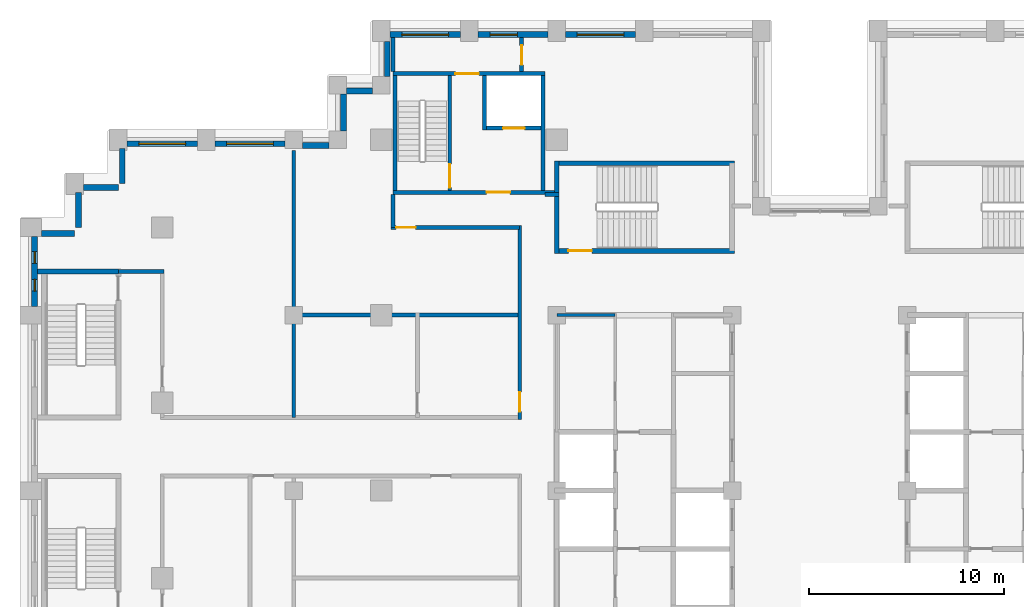
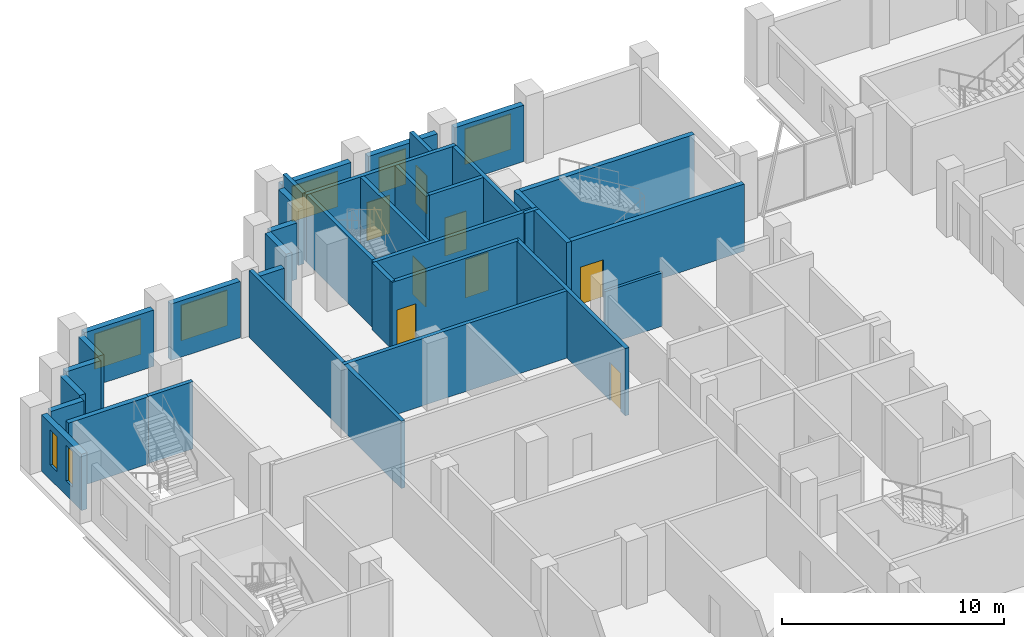
# One storey, part 10 of 16: 35 walls, 8 doors, 7 windows, 15 openings.
"""IFC4 building model written with IfcOpenShell, lengths in metres."""

from ifc_helpers import new_model, si_unit, direction, frame, frame_2d, origin, place, context, subcontext, project, spatial, rectangle, extrude, material, layer, layer_set, type_object, element, fill, save


model = new_model("IFC4")

# Units and contexts
model_context = context("Model", 3, precision=1e-05, world=origin(), true_north=direction((0.0, 1.0)))
body_context = subcontext(model_context, "Body", "Model", "MODEL_VIEW")
ifc_project = project(units=[si_unit("LENGTHUNIT", "METRE"), si_unit("AREAUNIT", "SQUARE_METRE"), si_unit("VOLUMEUNIT", "CUBIC_METRE"), si_unit("PLANEANGLEUNIT", "RADIAN"), si_unit("MASSUNIT", "GRAM", prefix="KILO")], contexts=[model_context])

# Site, building, storey
site_placement = place(None, origin())
site = spatial("IfcSite", under=ifc_project, at=site_placement, CompositionType="ELEMENT")
building_placement = place(site_placement, origin())
building = spatial("IfcBuilding", under=site, at=building_placement, Name="Corbelhall Arena Tower", CompositionType="ELEMENT")
storey_placement = place(building_placement, frame((0.0, 0.0, 170.0)))
storey = spatial("IfcBuildingStorey", under=building, at=storey_placement, Name="L34", CompositionType="ELEMENT", Elevation=170.0)

# Walls
ifc_material_1 = material(Name="Precast concrete C40/50 with granite facing", Category="masonry")
ifc_layer_1 = layer(ifc_material_1, 0.300048828125)
ifc_layer_set_1 = layer_set([ifc_layer_1], Name="EV-IW1 Infill panel 300")
wall_type_1 = type_object("IfcWallType", Name="EV-IW1 Infill panel 300", PredefinedType="SOLIDWALL", material=ifc_layer_set_1)
for number, where, z_axis, x_axis, name in (
    (1, (-35.800048828125, 17.550048828125, 0.0), (0.0, 0.0, 1.0), (0.0, -1.0, 0.0), "Infill panel IW1"),
    (2, (-37.800048828125, 15.550048828125, 0.0), (0.0, 0.0, 1.0), (1.0, 0.0, 0.0), "Infill panel IW1"),
    (3, (-38.050048828125, 15.300048828125, 0.0), (0.0, 0.0, 1.0), (0.0, -1.0, 0.0), "Infill panel IW1"),
):
    element("IfcWall", number, at=place(storey_placement, frame(where, z_axis=z_axis, x_axis=x_axis)), inside=storey, type_object=wall_type_1, Name=name, PredefinedType="SOLIDWALL", context=body_context, shape_type="SweptSolid", body=[
        extrude(rectangle(XDim=1.800048828125, YDim=0.300048828125, at=frame_2d((0.89990234375, 0.0))), origin(), (0.0, 0.0, 1.0), 3.10009765625),
    ])
wall_1_placement = place(storey_placement, frame((-39.949951171875, 13.199951171875, 0.0), z_axis=(0.0, 0.0, 1.0), x_axis=(1.0, 0.0, 0.0)))
element("IfcWall", 4, at=wall_1_placement, inside=storey, type_object=wall_type_1, Name="Infill panel IW1", PredefinedType="SOLIDWALL", context=body_context, shape_type="SweptSolid", body=[
    extrude(rectangle(XDim=1.699951171875, YDim=0.300048828125, at=frame_2d((0.85009765625, 0.0))), origin(), (0.0, 0.0, 1.0), 3.10009765625),
])
wall_2_placement = place(storey_placement, frame((-22.199951171875, 23.050048828125, 0.0), z_axis=(0.0, 0.0, 1.0), x_axis=(0.0, -1.0, 0.0)))
element("IfcWall", 5, at=wall_2_placement, inside=storey, type_object=wall_type_1, Name="Infill panel IW1", PredefinedType="SOLIDWALL", context=body_context, shape_type="SweptSolid", body=[
    extrude(rectangle(XDim=1.800048828125, YDim=0.300048828125, at=frame_2d((0.89990234375, 0.0))), origin(), (0.0, 0.0, 1.0), 3.10009765625),
])
wall_3_placement = place(storey_placement, frame((-22.949951171875, 20.5, 0.0), z_axis=(0.0, 0.0, 1.0), x_axis=(-1.0, 0.0, 0.0)))
element("IfcWall", 6, at=wall_3_placement, inside=storey, type_object=wall_type_1, Name="Infill panel IW1", PredefinedType="SOLIDWALL", context=body_context, shape_type="SweptSolid", body=[
    extrude(rectangle(XDim=1.35009765625, YDim=0.300048828125, at=frame_2d((0.675048828125, 0.0))), origin(), (0.0, 0.0, 1.0), 3.10009765625),
])
wall_4_placement = place(storey_placement, frame((-24.449951171875, 20.35009765625, 0.0), z_axis=(0.0, 0.0, 1.0), x_axis=(0.0, -1.0, 0.0)))
element("IfcWall", 7, at=wall_4_placement, inside=storey, type_object=wall_type_1, Name="Infill panel IW1", PredefinedType="SOLIDWALL", context=body_context, shape_type="SweptSolid", body=[
    extrude(rectangle(XDim=1.900146484375, YDim=0.300048828125, at=frame_2d((0.9501953125, 0.0))), origin(), (0.0, 0.0, 1.0), 3.10009765625),
])
wall_5_placement = place(storey_placement, frame((-25.199951171875, 17.699951171875, 0.0), z_axis=(0.0, 0.0, 1.0), x_axis=(-1.0, 0.0, 0.0)))
element("IfcWall", 8, at=wall_5_placement, inside=storey, type_object=wall_type_1, Name="Infill panel IW1", PredefinedType="SOLIDWALL", context=body_context, shape_type="SweptSolid", body=[
    extrude(rectangle(XDim=1.35009765625, YDim=0.300048828125, at=frame_2d((0.675048828125, 0.0))), origin(), (0.0, 0.0, 1.0), 3.10009765625),
])

# Wall, opening, window
wall_6_placement = place(storey_placement, frame((-27.449951171875, 17.800048828125, 0.0), z_axis=(0.0, 0.0, 1.0), x_axis=(-1.0, 0.0, 0.0)))
wall_6 = element("IfcWall", 9, at=wall_6_placement, inside=storey, type_object=wall_type_1, Name="Infill panel IW1", PredefinedType="SOLIDWALL", context=body_context, shape_type="SweptSolid", body=[
    extrude(rectangle(XDim=3.60009765625, YDim=0.300048828125, at=frame_2d((1.800048828125, 0.0))), origin(), (0.0, 0.0, 1.0), 3.10009765625),
])
opening_1_placement = place(wall_6_placement, frame((0.60009765625, 0.0, 0.800048828125)))
opening_1 = element("IfcOpeningElement", 10, at=opening_1_placement, cuts=wall_6, Name="Opening WN1", PredefinedType="OPENING", context=body_context, shape_type="SweptSolid", body=[
    extrude(rectangle(XDim=2.39990234375, YDim=1.949951171875, at=frame_2d((1.199951171875, 0.97509765625))), frame((0.0, 0.14990234375, 0.0), z_axis=(0.0, -1.0, 0.0), x_axis=(1.0, 0.0, 0.0)), (0.0, 0.0, 1.0), 0.300048828125),
])
ifc_material_2 = material(Name="Aluminium black anodised", Category="aluminium")
window_type_1 = type_object("IfcWindowType", Name="EV-WN1 Office window", PartitioningType="SINGLE_PANEL", PredefinedType="WINDOW", material=ifc_material_2)
window_1_placement = place(opening_1_placement, origin())
window_1 = element("IfcWindow", 11, at=window_1_placement, inside=storey, type_object=window_type_1, Name="Window WN1", OverallHeight=1.949951171875, OverallWidth=2.39990234375, PartitioningType="SINGLE_PANEL", PredefinedType="WINDOW", context=body_context, shape_type="SweptSolid", body=[
    extrude(rectangle(XDim=2.39990234375, YDim=1.949951171875, at=frame_2d((1.199951171875, 0.97509765625))), frame((0.0, 0.030029296875, 0.0), z_axis=(0.0, -1.0, 0.0), x_axis=(1.0, 0.0, 0.0)), (0.0, 0.0, 1.0), 0.06005859375),
])
fill(opening_1, window_1)

wall_7_placement = place(storey_placement, frame((-31.949951171875, 17.800048828125, 0.0), z_axis=(0.0, 0.0, 1.0), x_axis=(-1.0, 0.0, 0.0)))
wall_7 = element("IfcWall", 12, at=wall_7_placement, inside=storey, type_object=wall_type_1, Name="Infill panel IW1", PredefinedType="SOLIDWALL", context=body_context, shape_type="SweptSolid", body=[
    extrude(rectangle(XDim=3.60009765625, YDim=0.300048828125, at=frame_2d((1.800048828125, 0.0))), origin(), (0.0, 0.0, 1.0), 3.10009765625),
])
opening_2_placement = place(wall_7_placement, frame((0.60009765625, 0.0, 0.800048828125)))
opening_2 = element("IfcOpeningElement", 13, at=opening_2_placement, cuts=wall_7, Name="Opening WN1", PredefinedType="OPENING", context=body_context, shape_type="SweptSolid", body=[
    extrude(rectangle(XDim=2.39990234375, YDim=1.949951171875, at=frame_2d((1.199951171875, 0.97509765625))), frame((0.0, 0.14990234375, 0.0), z_axis=(0.0, -1.0, 0.0), x_axis=(1.0, 0.0, 0.0)), (0.0, 0.0, 1.0), 0.300048828125),
])
window_2_placement = place(opening_2_placement, origin())
window_2 = element("IfcWindow", 14, at=window_2_placement, inside=storey, type_object=window_type_1, Name="Window WN1", OverallHeight=1.949951171875, OverallWidth=2.39990234375, PartitioningType="SINGLE_PANEL", PredefinedType="WINDOW", context=body_context, shape_type="SweptSolid", body=[
    extrude(rectangle(XDim=2.39990234375, YDim=1.949951171875, at=frame_2d((1.199951171875, 0.97509765625))), frame((0.0, 0.030029296875, 0.0), z_axis=(0.0, -1.0, 0.0), x_axis=(1.0, 0.0, 0.0)), (0.0, 0.0, 1.0), 0.06005859375),
])
fill(opening_2, window_2)

# Wall, openings, windows
wall_8_placement = place(storey_placement, frame((-40.300048828125, 13.050048828125, 0.0), z_axis=(0.0, 0.0, 1.0), x_axis=(0.0, -1.0, 0.0)))
wall_8 = element("IfcWall", 15, at=wall_8_placement, inside=storey, type_object=wall_type_1, Name="Infill panel IW1", PredefinedType="SOLIDWALL", context=body_context, shape_type="SweptSolid", body=[
    extrude(rectangle(XDim=3.60009765625, YDim=0.300048828125, at=frame_2d((1.800048828125, 0.0))), origin(), (0.0, 0.0, 1.0), 3.10009765625),
])
opening_3_placement = place(wall_8_placement, frame((0.78759765625, 0.0, 0.800048828125)))
opening_3 = element("IfcOpeningElement", 16, at=opening_3_placement, cuts=wall_8, Name="Opening WN5", PredefinedType="OPENING", context=body_context, shape_type="SweptSolid", body=[
    extrude(rectangle(XDim=0.60009765625, YDim=1.949951171875, at=frame_2d((0.300048828125, 0.97509765625))), frame((0.0, 0.14990234375, 0.0), z_axis=(0.0, -1.0, 0.0), x_axis=(1.0, 0.0, 0.0)), (0.0, 0.0, 1.0), 0.300048828125),
])
opening_4_placement = place(wall_8_placement, frame((2.21240234375, 0.0, 0.800048828125)))
opening_4 = element("IfcOpeningElement", 17, at=opening_4_placement, cuts=wall_8, Name="Opening WN5", PredefinedType="OPENING", context=body_context, shape_type="SweptSolid", body=[
    extrude(rectangle(XDim=0.60009765625, YDim=1.949951171875, at=frame_2d((0.300048828125, 0.97509765625))), frame((0.0, 0.14990234375, 0.0), z_axis=(0.0, -1.0, 0.0), x_axis=(1.0, 0.0, 0.0)), (0.0, 0.0, 1.0), 0.300048828125),
])
window_type_2 = type_object("IfcWindowType", Name="EV-WN5 Office window 600", PartitioningType="SINGLE_PANEL", PredefinedType="WINDOW", material=ifc_material_2)
window_3_placement = place(opening_3_placement, origin())
window_3 = element("IfcWindow", 18, at=window_3_placement, inside=storey, type_object=window_type_2, Name="Window WN5", OverallHeight=1.949951171875, OverallWidth=0.60009765625, PartitioningType="SINGLE_PANEL", PredefinedType="WINDOW", context=body_context, shape_type="SweptSolid", body=[
    extrude(rectangle(XDim=0.60009765625, YDim=1.949951171875, at=frame_2d((0.300048828125, 0.97509765625))), frame((0.0, 0.030029296875, 0.0), z_axis=(0.0, -1.0, 0.0), x_axis=(1.0, 0.0, 0.0)), (0.0, 0.0, 1.0), 0.06005859375),
])
fill(opening_3, window_3)
window_4_placement = place(opening_4_placement, origin())
window_4 = element("IfcWindow", 19, at=window_4_placement, inside=storey, type_object=window_type_2, Name="Window WN5", OverallHeight=1.949951171875, OverallWidth=0.60009765625, PartitioningType="SINGLE_PANEL", PredefinedType="WINDOW", context=body_context, shape_type="SweptSolid", body=[
    extrude(rectangle(XDim=0.60009765625, YDim=1.949951171875, at=frame_2d((0.300048828125, 0.97509765625))), frame((0.0, 0.030029296875, 0.0), z_axis=(0.0, -1.0, 0.0), x_axis=(1.0, 0.0, 0.0)), (0.0, 0.0, 1.0), 0.06005859375),
])
fill(opening_4, window_4)

# Wall, opening, window
wall_9_placement = place(storey_placement, frame((-9.449951171875, 23.39990234375, 0.0), z_axis=(0.0, 0.0, 1.0), x_axis=(-1.0, 0.0, 0.0)))
wall_9 = element("IfcWall", 20, at=wall_9_placement, inside=storey, type_object=wall_type_1, Name="Infill panel IW1", PredefinedType="SOLIDWALL", context=body_context, shape_type="SweptSolid", body=[
    extrude(rectangle(XDim=3.60009765625, YDim=0.300048828125, at=frame_2d((1.800048828125, 0.0))), origin(), (0.0, 0.0, 1.0), 3.10009765625),
])
opening_5_placement = place(wall_9_placement, frame((0.60009765625, 0.0, 0.800048828125)))
opening_5 = element("IfcOpeningElement", 21, at=opening_5_placement, cuts=wall_9, Name="Opening WN1", PredefinedType="OPENING", context=body_context, shape_type="SweptSolid", body=[
    extrude(rectangle(XDim=2.39990234375, YDim=1.949951171875, at=frame_2d((1.199951171875, 0.97509765625))), frame((0.0, 0.14990234375, 0.0), z_axis=(0.0, -1.0, 0.0), x_axis=(1.0, 0.0, 0.0)), (0.0, 0.0, 1.0), 0.300048828125),
])
window_5_placement = place(opening_5_placement, origin())
window_5 = element("IfcWindow", 22, at=window_5_placement, inside=storey, type_object=window_type_1, Name="Window WN1", OverallHeight=1.949951171875, OverallWidth=2.39990234375, PartitioningType="SINGLE_PANEL", PredefinedType="WINDOW", context=body_context, shape_type="SweptSolid", body=[
    extrude(rectangle(XDim=2.39990234375, YDim=1.949951171875, at=frame_2d((1.199951171875, 0.97509765625))), frame((0.0, 0.030029296875, 0.0), z_axis=(0.0, -1.0, 0.0), x_axis=(1.0, 0.0, 0.0)), (0.0, 0.0, 1.0), 0.06005859375),
])
fill(opening_5, window_5)

wall_10_placement = place(storey_placement, frame((-13.949951171875, 23.39990234375, 0.0), z_axis=(0.0, 0.0, 1.0), x_axis=(-1.0, 0.0, 0.0)))
wall_10 = element("IfcWall", 23, at=wall_10_placement, inside=storey, type_object=wall_type_1, Name="Infill panel IW1", PredefinedType="SOLIDWALL", context=body_context, shape_type="SweptSolid", body=[
    extrude(rectangle(XDim=3.60009765625, YDim=0.300048828125, at=frame_2d((1.800048828125, 0.0))), origin(), (0.0, 0.0, 1.0), 3.10009765625),
])
opening_6_placement = place(wall_10_placement, frame((1.574951171875, 0.0, 0.800048828125)))
opening_6 = element("IfcOpeningElement", 24, at=opening_6_placement, cuts=wall_10, Name="Opening WN7", PredefinedType="OPENING", context=body_context, shape_type="SweptSolid", body=[
    extrude(rectangle(XDim=1.39990234375, YDim=1.949951171875, at=frame_2d((0.699951171875, 0.97509765625))), frame((0.0, 0.14990234375, 0.0), z_axis=(0.0, -1.0, 0.0), x_axis=(1.0, 0.0, 0.0)), (0.0, 0.0, 1.0), 0.300048828125),
])
window_type_3 = type_object("IfcWindowType", Name="EV-WN7 Office window 1400", PartitioningType="SINGLE_PANEL", PredefinedType="WINDOW", material=ifc_material_2)
window_6_placement = place(opening_6_placement, origin())
window_6 = element("IfcWindow", 25, at=window_6_placement, inside=storey, type_object=window_type_3, Name="Window WN7", OverallHeight=1.949951171875, OverallWidth=1.39990234375, PartitioningType="SINGLE_PANEL", PredefinedType="WINDOW", context=body_context, shape_type="SweptSolid", body=[
    extrude(rectangle(XDim=1.39990234375, YDim=1.949951171875, at=frame_2d((0.699951171875, 0.97509765625))), frame((0.0, 0.030029296875, 0.0), z_axis=(0.0, -1.0, 0.0), x_axis=(1.0, 0.0, 0.0)), (0.0, 0.0, 1.0), 0.06005859375),
])
fill(opening_6, window_6)

wall_11_placement = place(storey_placement, frame((-18.449951171875, 23.39990234375, 0.0), z_axis=(0.0, 0.0, 1.0), x_axis=(-1.0, 0.0, 0.0)))
wall_11 = element("IfcWall", 26, at=wall_11_placement, inside=storey, type_object=wall_type_1, Name="Infill panel IW1", PredefinedType="SOLIDWALL", context=body_context, shape_type="SweptSolid", body=[
    extrude(rectangle(XDim=3.60009765625, YDim=0.300048828125, at=frame_2d((1.800048828125, 0.0))), origin(), (0.0, 0.0, 1.0), 3.10009765625),
])
opening_7_placement = place(wall_11_placement, frame((0.60009765625, 0.0, 0.800048828125)))
opening_7 = element("IfcOpeningElement", 27, at=opening_7_placement, cuts=wall_11, Name="Opening WN1", PredefinedType="OPENING", context=body_context, shape_type="SweptSolid", body=[
    extrude(rectangle(XDim=2.39990234375, YDim=1.949951171875, at=frame_2d((1.199951171875, 0.97509765625))), frame((0.0, 0.14990234375, 0.0), z_axis=(0.0, -1.0, 0.0), x_axis=(1.0, 0.0, 0.0)), (0.0, 0.0, 1.0), 0.300048828125),
])
window_7_placement = place(opening_7_placement, origin())
window_7 = element("IfcWindow", 28, at=window_7_placement, inside=storey, type_object=window_type_1, Name="Window WN1", OverallHeight=1.949951171875, OverallWidth=2.39990234375, PartitioningType="SINGLE_PANEL", PredefinedType="WINDOW", context=body_context, shape_type="SweptSolid", body=[
    extrude(rectangle(XDim=2.39990234375, YDim=1.949951171875, at=frame_2d((1.199951171875, 0.97509765625))), frame((0.0, 0.030029296875, 0.0), z_axis=(0.0, -1.0, 0.0), x_axis=(1.0, 0.0, 0.0)), (0.0, 0.0, 1.0), 0.06005859375),
])
fill(opening_7, window_7)

# Walls
ifc_material_3 = material(Name="Gypsum board on steel stud, acoustic", Category="steel")
ifc_layer_2 = layer(ifc_material_3, 0.199951171875)
ifc_layer_set_2 = layer_set([ifc_layer_2], Name="IN-W-DM200")
wall_type_2 = type_object("IfcWallType", Name="IN-W-DM200", PredefinedType="PARTITIONING", material=ifc_layer_set_2)
wall_12_placement = place(storey_placement, frame((-36.0, 11.25, 0.0), z_axis=(0.0, 0.0, 1.0), x_axis=(1.0, 0.0, 0.0)))
element("IfcWall", 29, at=wall_12_placement, inside=storey, type_object=wall_type_2, Name="Partition 001", PredefinedType="PARTITIONING", context=body_context, shape_type="SweptSolid", body=[
    extrude(rectangle(XDim=2.35009765625, YDim=0.199951171875, at=frame_2d((1.175048828125, 0.0))), origin(), (0.0, 0.0, 1.0), 3.699951171875),
])
wall_13_placement = place(storey_placement, frame((-27.10009765625, 9.0, 0.0), z_axis=(0.0, 0.0, 1.0), x_axis=(1.0, 0.0, 0.0)))
element("IfcWall", 30, at=wall_13_placement, inside=storey, type_object=wall_type_2, Name="Partition 010", PredefinedType="PARTITIONING", context=body_context, shape_type="SweptSolid", body=[
    extrude(rectangle(XDim=11.7001953125, YDim=0.199951171875, at=frame_2d((5.85009765625, 0.0))), origin(), (0.0, 0.0, 1.0), 3.699951171875),
])
wall_14_placement = place(storey_placement, frame((-27.0, 3.75, 0.0), z_axis=(0.0, 0.0, 1.0), x_axis=(0.0, 1.0, 0.0)))
element("IfcWall", 31, at=wall_14_placement, inside=storey, type_object=wall_type_2, Name="Partition 012", PredefinedType="PARTITIONING", context=body_context, shape_type="SweptSolid", body=[
    extrude(rectangle(XDim=13.699951171875, YDim=0.199951171875, at=frame_2d((6.85009765625, 0.0))), origin(), (0.0, 0.0, 1.0), 3.699951171875),
])
wall_15_placement = place(storey_placement, frame((-21.89990234375, 13.5, 0.0), z_axis=(0.0, 0.0, 1.0), x_axis=(0.0, 1.0, 0.0)))
element("IfcWall", 32, at=wall_15_placement, inside=storey, type_object=wall_type_2, Name="Partition 014", PredefinedType="PARTITIONING", context=body_context, shape_type="SweptSolid", body=[
    extrude(rectangle(XDim=1.699951171875, YDim=0.199951171875, at=frame_2d((0.85009765625, 0.0))), origin(), (0.0, 0.0, 1.0), 3.699951171875),
])
wall_16_placement = place(storey_placement, frame((-21.89990234375, 21.5, 0.0), z_axis=(0.0, 0.0, 1.0), x_axis=(0.0, 1.0, 0.0)))
element("IfcWall", 33, at=wall_16_placement, inside=storey, type_object=wall_type_2, Name="Partition 015", PredefinedType="PARTITIONING", context=body_context, shape_type="SweptSolid", body=[
    extrude(rectangle(XDim=1.75, YDim=0.199951171875, at=frame_2d((0.875, 0.0))), origin(), (0.0, 0.0, 1.0), 3.699951171875),
])

# Wall, opening, door
wall_17_placement = place(storey_placement, frame((-15.39990234375, 3.64990234375, 0.0), z_axis=(0.0, 0.0, 1.0), x_axis=(0.0, 1.0, 0.0)))
wall_17 = element("IfcWall", 34, at=wall_17_placement, inside=storey, type_object=wall_type_2, Name="Partition 019", PredefinedType="PARTITIONING", context=body_context, shape_type="SweptSolid", body=[
    extrude(rectangle(XDim=9.9501953125, YDim=0.199951171875, at=frame_2d((4.97509765625, 0.0))), origin(), (0.0, 0.0, 1.0), 3.699951171875),
])
opening_8_placement = place(wall_17_placement, frame((0.39990234375, 0.0, 0.0)))
opening_8 = element("IfcOpeningElement", 35, at=opening_8_placement, cuts=wall_17, Name="Opening 10026", PredefinedType="OPENING", context=body_context, shape_type="SweptSolid", body=[
    extrude(rectangle(XDim=1.0, YDim=2.10009765625, at=frame_2d((0.5, 1.050048828125))), frame((0.0, 0.10009765625, 0.0), z_axis=(0.0, -1.0, 0.0), x_axis=(1.0, 0.0, 0.0)), (0.0, 0.0, 1.0), 0.199951171875),
])
ifc_material_4 = material(Name="Steel door set", Category="steel")
door_type_1 = type_object("IfcDoorType", Name="IN-D-SW100", OperationType="NOTDEFINED", PredefinedType="DOOR", material=ifc_material_4)
door_1_placement = place(opening_8_placement, origin())
door_1 = element("IfcDoor", 36, at=door_1_placement, inside=storey, type_object=door_type_1, Name="Door 026", OperationType="SINGLE_SWING_LEFT", OverallHeight=2.10009765625, OverallWidth=1.0, PredefinedType="DOOR", context=body_context, shape_type="SweptSolid", body=[
    extrude(rectangle(XDim=1.0, YDim=2.10009765625, at=frame_2d((0.5, 1.050048828125))), frame((0.0, 0.02490234375, 0.0), z_axis=(0.0, -1.0, 0.0), x_axis=(1.0, 0.0, 0.0)), (0.0, 0.0, 1.0), 0.050048828125),
])
fill(opening_8, door_1)

wall_18_placement = place(storey_placement, frame((-15.39990234375, 13.5, 0.0), z_axis=(0.0, 0.0, 1.0), x_axis=(-1.0, 0.0, 0.0)))
wall_18 = element("IfcWall", 37, at=wall_18_placement, inside=storey, type_object=wall_type_2, Name="Partition 020", PredefinedType="PARTITIONING", context=body_context, shape_type="SweptSolid", body=[
    extrude(rectangle(XDim=6.60009765625, YDim=0.199951171875, at=frame_2d((3.300048828125, 0.0))), origin(), (0.0, 0.0, 1.0), 3.699951171875),
])
opening_9_placement = place(wall_18_placement, frame((5.35009765625, 0.0, 0.0)))
opening_9 = element("IfcOpeningElement", 38, at=opening_9_placement, cuts=wall_18, Name="Opening 10028", PredefinedType="OPENING", context=body_context, shape_type="SweptSolid", body=[
    extrude(rectangle(XDim=1.0, YDim=2.10009765625, at=frame_2d((0.5, 1.050048828125))), frame((0.0, 0.10009765625, 0.0), z_axis=(0.0, -1.0, 0.0), x_axis=(1.0, 0.0, 0.0)), (0.0, 0.0, 1.0), 0.199951171875),
])
door_2_placement = place(opening_9_placement, origin())
door_2 = element("IfcDoor", 39, at=door_2_placement, inside=storey, type_object=door_type_1, Name="Door 028", OperationType="SINGLE_SWING_LEFT", OverallHeight=2.10009765625, OverallWidth=1.0, PredefinedType="DOOR", context=body_context, shape_type="SweptSolid", body=[
    extrude(rectangle(XDim=1.0, YDim=2.10009765625, at=frame_2d((0.5, 1.050048828125))), frame((0.0, 0.02490234375, 0.0), z_axis=(0.0, -1.0, 0.0), x_axis=(1.0, 0.0, 0.0)), (0.0, 0.0, 1.0), 0.050048828125),
])
fill(opening_9, door_2)

wall_19_placement = place(storey_placement, frame((-15.300048828125, 23.25, 0.0), z_axis=(0.0, 0.0, 1.0), x_axis=(0.0, -1.0, 0.0)))
wall_19 = element("IfcWall", 40, at=wall_19_placement, inside=storey, type_object=wall_type_2, Name="Partition 021", PredefinedType="PARTITIONING", context=body_context, shape_type="SweptSolid", body=[
    extrude(rectangle(XDim=1.75, YDim=0.199951171875, at=frame_2d((0.875, 0.0))), origin(), (0.0, 0.0, 1.0), 3.699951171875),
])
opening_10_placement = place(wall_19_placement, frame((0.39990234375, 0.0, 0.0)))
opening_10 = element("IfcOpeningElement", 41, at=opening_10_placement, cuts=wall_19, Name="Opening 10022", PredefinedType="OPENING", context=body_context, shape_type="SweptSolid", body=[
    extrude(rectangle(XDim=1.0, YDim=2.10009765625, at=frame_2d((0.5, 1.050048828125))), frame((0.0, 0.10009765625, 0.0), z_axis=(0.0, -1.0, 0.0), x_axis=(1.0, 0.0, 0.0)), (0.0, 0.0, 1.0), 0.199951171875),
])
door_3_placement = place(opening_10_placement, origin())
door_3 = element("IfcDoor", 42, at=door_3_placement, inside=storey, type_object=door_type_1, Name="Door 022", OperationType="SINGLE_SWING_LEFT", OverallHeight=2.10009765625, OverallWidth=1.0, PredefinedType="DOOR", context=body_context, shape_type="SweptSolid", body=[
    extrude(rectangle(XDim=1.0, YDim=2.10009765625, at=frame_2d((0.5, 1.050048828125))), frame((0.0, 0.02490234375, 0.0), z_axis=(0.0, -1.0, 0.0), x_axis=(1.0, 0.0, 0.0)), (0.0, 0.0, 1.0), 0.050048828125),
])
fill(opening_10, door_3)

# Wall
wall_20_placement = place(storey_placement, frame((-14.10009765625, 15.199951171875, 0.0), z_axis=(0.0, 0.0, 1.0), x_axis=(1.0, 0.0, 0.0)))
element("IfcWall", 43, at=wall_20_placement, inside=storey, type_object=wall_type_2, Name="Partition 022", PredefinedType="PARTITIONING", context=body_context, shape_type="SweptSolid", body=[
    extrude(rectangle(XDim=0.72509765625, YDim=0.199951171875, at=frame_2d((0.362548828125, 0.0))), origin(), (0.0, 0.0, 1.0), 3.699951171875),
])

# Wall, opening, door
ifc_material_5 = material(Name="Concrete C40/50", Category="concrete")
ifc_layer_3 = layer(ifc_material_5, 0.199951171875)
ifc_layer_set_3 = layer_set([ifc_layer_3], Name="IN-W-EAR200")
wall_type_3 = type_object("IfcWallType", Name="IN-W-EAR200", PredefinedType="SOLIDWALL", material=ifc_layer_set_3)
wall_21_placement = place(storey_placement, frame((-21.89990234375, 15.300048828125, 0.0), z_axis=(0.0, 0.0, 1.0), x_axis=(1.0, 0.0, 0.0)))
wall_21 = element("IfcWall", 44, at=wall_21_placement, inside=storey, type_object=wall_type_3, Name="Fire service turret wall south", PredefinedType="SOLIDWALL", context=body_context, shape_type="SweptSolid", body=[
    extrude(rectangle(XDim=8.27490234375, YDim=0.199951171875, at=frame_2d((4.137451171875, 0.0))), origin(), (0.0, 0.0, 1.0), 3.699951171875),
])
opening_11_placement = place(wall_21_placement, frame((4.800048828125, 0.0, 0.0)))
opening_11 = element("IfcOpeningElement", 45, at=opening_11_placement, cuts=wall_21, Name="Opening E102", PredefinedType="OPENING", context=body_context, shape_type="SweptSolid", body=[
    extrude(rectangle(XDim=1.199951171875, YDim=2.10009765625, at=frame_2d((0.60009765625, 1.050048828125))), frame((0.0, 0.10009765625, 0.0), z_axis=(0.0, -1.0, 0.0), x_axis=(1.0, 0.0, 0.0)), (0.0, 0.0, 1.0), 0.199951171875),
])
door_type_2 = type_object("IfcDoorType", Name="IN-D-ST120", OperationType="NOTDEFINED", PredefinedType="DOOR", material=ifc_material_4)
door_4_placement = place(opening_11_placement, origin())
door_4 = element("IfcDoor", 46, at=door_4_placement, inside=storey, type_object=door_type_2, Name="Door from fire service lift lobby to circulation", OperationType="SINGLE_SWING_RIGHT", OverallHeight=2.10009765625, OverallWidth=1.199951171875, PredefinedType="DOOR", context=body_context, shape_type="SweptSolid", body=[
    extrude(rectangle(XDim=1.199951171875, YDim=2.10009765625, at=frame_2d((0.60009765625, 1.050048828125))), frame((0.0, 0.02490234375, 0.0), z_axis=(0.0, -1.0, 0.0), x_axis=(1.0, 0.0, 0.0)), (0.0, 0.0, 1.0), 0.050048828125),
])
fill(opening_11, door_4)

wall_22_placement = place(storey_placement, frame((-21.89990234375, 21.39990234375, 0.0), z_axis=(0.0, 0.0, 1.0), x_axis=(1.0, 0.0, 0.0)))
wall_22 = element("IfcWall", 47, at=wall_22_placement, inside=storey, type_object=wall_type_3, Name="Fire service turret wall north", PredefinedType="SOLIDWALL", context=body_context, shape_type="SweptSolid", body=[
    extrude(rectangle(XDim=7.7998046875, YDim=0.199951171875, at=frame_2d((3.89990234375, 0.0))), origin(), (0.0, 0.0, 1.0), 3.699951171875),
])
opening_12_placement = place(wall_22_placement, frame((3.199951171875, 0.0, 0.0)))
opening_12 = element("IfcOpeningElement", 48, at=opening_12_placement, cuts=wall_22, Name="Opening E103", PredefinedType="OPENING", context=body_context, shape_type="SweptSolid", body=[
    extrude(rectangle(XDim=1.199951171875, YDim=2.10009765625, at=frame_2d((0.60009765625, 1.050048828125))), frame((0.0, 0.10009765625, 0.0), z_axis=(0.0, -1.0, 0.0), x_axis=(1.0, 0.0, 0.0)), (0.0, 0.0, 1.0), 0.199951171875),
])
door_5_placement = place(opening_12_placement, origin())
door_5 = element("IfcDoor", 49, at=door_5_placement, inside=storey, type_object=door_type_2, Name="Door from fire service lift lobby to the north gallery", OperationType="SINGLE_SWING_LEFT", OverallHeight=2.10009765625, OverallWidth=1.199951171875, PredefinedType="DOOR", context=body_context, shape_type="SweptSolid", body=[
    extrude(rectangle(XDim=1.199951171875, YDim=2.10009765625, at=frame_2d((0.60009765625, 1.050048828125))), frame((0.0, 0.02490234375, 0.0), z_axis=(0.0, -1.0, 0.0), x_axis=(1.0, 0.0, 0.0)), (0.0, 0.0, 1.0), 0.050048828125),
])
fill(opening_12, door_5)

# Walls
for number, where, z_axis, x_axis, name in (
    (50, (-21.800048828125, 15.39990234375, 0.0), (0.0, 0.0, 1.0), (0.0, 1.0, 0.0), "Fire service turret wall west"),
    (51, (-14.199951171875, 15.39990234375, 0.0), (0.0, 0.0, 1.0), (0.0, 1.0, 0.0), "Fire service turret wall east"),
):
    element("IfcWall", number, at=place(storey_placement, frame(where, z_axis=z_axis, x_axis=x_axis)), inside=storey, type_object=wall_type_3, Name=name, PredefinedType="SOLIDWALL", context=body_context, shape_type="SweptSolid", body=[
        extrude(rectangle(XDim=5.900146484375, YDim=0.199951171875, at=frame_2d((2.9501953125, 0.0))), origin(), (0.0, 0.0, 1.0), 3.699951171875),
    ])

# Wall, opening, door
wall_23_placement = place(storey_placement, frame((-18.989990234375, 15.39990234375, 0.0), z_axis=(0.0, 0.0, 1.0), x_axis=(0.0, 1.0, 0.0)))
wall_23 = element("IfcWall", 52, at=wall_23_placement, inside=storey, type_object=wall_type_3, Name="Fire service turret wall stair", PredefinedType="SOLIDWALL", context=body_context, shape_type="SweptSolid", body=[
    extrude(rectangle(XDim=5.900146484375, YDim=0.199951171875, at=frame_2d((2.9501953125, 0.0))), origin(), (0.0, 0.0, 1.0), 3.699951171875),
])
opening_13_placement = place(wall_23_placement, frame((0.14990234375, 0.0, 0.0)))
opening_13 = element("IfcOpeningElement", 53, at=opening_13_placement, cuts=wall_23, Name="Opening E101", PredefinedType="OPENING", context=body_context, shape_type="SweptSolid", body=[
    extrude(rectangle(XDim=1.199951171875, YDim=2.10009765625, at=frame_2d((0.60009765625, 1.050048828125))), frame((0.0, 0.10009765625, 0.0), z_axis=(0.0, -1.0, 0.0), x_axis=(1.0, 0.0, 0.0)), (0.0, 0.0, 1.0), 0.199951171875),
])
door_6_placement = place(opening_13_placement, origin())
door_6 = element("IfcDoor", 54, at=door_6_placement, inside=storey, type_object=door_type_2, Name="Stair door to fire service lobby", OperationType="SINGLE_SWING_LEFT", OverallHeight=2.10009765625, OverallWidth=1.199951171875, PredefinedType="DOOR", context=body_context, shape_type="SweptSolid", body=[
    extrude(rectangle(XDim=1.199951171875, YDim=2.10009765625, at=frame_2d((0.60009765625, 1.050048828125))), frame((0.0, 0.02490234375, 0.0), z_axis=(0.0, -1.0, 0.0), x_axis=(1.0, 0.0, 0.0)), (0.0, 0.0, 1.0), 0.050048828125),
])
fill(opening_13, door_6)

# Wall
wall_24_placement = place(storey_placement, frame((-17.199951171875, 18.5, 0.0), z_axis=(0.0, 0.0, 1.0), x_axis=(0.0, 1.0, 0.0)))
element("IfcWall", 55, at=wall_24_placement, inside=storey, type_object=wall_type_3, Name="Fire service turret wall hoistway west", PredefinedType="SOLIDWALL", context=body_context, shape_type="SweptSolid", body=[
    extrude(rectangle(XDim=2.800048828125, YDim=0.199951171875, at=frame_2d((1.39990234375, 0.0))), origin(), (0.0, 0.0, 1.0), 3.699951171875),
])

# Wall, opening, door
wall_25_placement = place(storey_placement, frame((-17.10009765625, 18.60009765625, 0.0), z_axis=(0.0, 0.0, 1.0), x_axis=(1.0, 0.0, 0.0)))
wall_25 = element("IfcWall", 56, at=wall_25_placement, inside=storey, type_object=wall_type_3, Name="Fire service turret wall hoistway south", PredefinedType="SOLIDWALL", context=body_context, shape_type="SweptSolid", body=[
    extrude(rectangle(XDim=2.800048828125, YDim=0.199951171875, at=frame_2d((1.39990234375, 0.0))), origin(), (0.0, 0.0, 1.0), 3.699951171875),
])
opening_14_placement = place(wall_25_placement, frame((0.85009765625, 0.0, 0.0)))
opening_14 = element("IfcOpeningElement", 57, at=opening_14_placement, cuts=wall_25, Name="Opening LD", PredefinedType="OPENING", context=body_context, shape_type="SweptSolid", body=[
    extrude(rectangle(XDim=1.10009765625, YDim=2.10009765625, at=frame_2d((0.550048828125, 1.050048828125))), frame((0.0, 0.10009765625, 0.0), z_axis=(0.0, -1.0, 0.0), x_axis=(1.0, 0.0, 0.0)), (0.0, 0.0, 1.0), 0.199951171875),
])
door_type_3 = type_object("IfcDoorType", Name="IN-D-LD110", OperationType="NOTDEFINED", PredefinedType="DOOR", material=ifc_material_4)
door_7_placement = place(opening_14_placement, origin())
door_7 = element("IfcDoor", 58, at=door_7_placement, inside=storey, type_object=door_type_3, Name="Landing door FS1", OperationType="SLIDING_TO_LEFT", OverallHeight=2.10009765625, OverallWidth=1.10009765625, PredefinedType="DOOR", context=body_context, shape_type="SweptSolid", body=[
    extrude(rectangle(XDim=1.10009765625, YDim=2.10009765625, at=frame_2d((0.550048828125, 1.050048828125))), frame((0.0, 0.02490234375, 0.0), z_axis=(0.0, -1.0, 0.0), x_axis=(1.0, 0.0, 0.0)), (0.0, 0.0, 1.0), 0.050048828125),
])
fill(opening_14, door_7)

# Wall
ifc_layer_4 = layer(ifc_material_5, 0.25)
ifc_layer_set_4 = layer_set([ifc_layer_4], Name="IN-W-ST250")
wall_type_4 = type_object("IfcWallType", Name="IN-W-ST250", PredefinedType="SOLIDWALL", material=ifc_layer_set_4)
wall_26_placement = place(storey_placement, frame((-40.14990234375, 11.25, 0.0), z_axis=(0.0, 0.0, 1.0), x_axis=(1.0, 0.0, 0.0)))
element("IfcWall", 59, at=wall_26_placement, inside=storey, type_object=wall_type_4, Name="Shaft wall 083", PredefinedType="SOLIDWALL", context=body_context, shape_type="SweptSolid", body=[
    extrude(rectangle(XDim=4.14990234375, YDim=0.25, at=frame_2d((2.074951171875, 0.0))), origin(), (0.0, 0.0, 1.0), 3.699951171875),
])

# Wall, opening, door
wall_27_placement = place(storey_placement, frame((-13.5, 12.300048828125, 0.0), z_axis=(0.0, 0.0, 1.0), x_axis=(1.0, 0.0, 0.0)))
wall_27 = element("IfcWall", 60, at=wall_27_placement, inside=storey, type_object=wall_type_4, Name="Shaft wall 089", PredefinedType="SOLIDWALL", context=body_context, shape_type="SweptSolid", body=[
    extrude(rectangle(XDim=9.125, YDim=0.25, at=frame_2d((4.5625, 0.0))), origin(), (0.0, 0.0, 1.0), 3.699951171875),
])
opening_15_placement = place(wall_27_placement, frame((0.60009765625, 0.0, 0.0)))
opening_15 = element("IfcOpeningElement", 61, at=opening_15_placement, cuts=wall_27, Name="Opening 10014", PredefinedType="OPENING", context=body_context, shape_type="SweptSolid", body=[
    extrude(rectangle(XDim=1.199951171875, YDim=2.10009765625, at=frame_2d((0.60009765625, 1.050048828125))), frame((0.0, 0.125, 0.0), z_axis=(0.0, -1.0, 0.0), x_axis=(1.0, 0.0, 0.0)), (0.0, 0.0, 1.0), 0.25),
])
door_8_placement = place(opening_15_placement, origin())
door_8 = element("IfcDoor", 62, at=door_8_placement, inside=storey, type_object=door_type_2, Name="Door 014", OperationType="SINGLE_SWING_LEFT", OverallHeight=2.10009765625, OverallWidth=1.199951171875, PredefinedType="DOOR", context=body_context, shape_type="SweptSolid", body=[
    extrude(rectangle(XDim=1.199951171875, YDim=2.10009765625, at=frame_2d((0.60009765625, 1.050048828125))), frame((0.0, 0.02490234375, 0.0), z_axis=(0.0, -1.0, 0.0), x_axis=(1.0, 0.0, 0.0)), (0.0, 0.0, 1.0), 0.050048828125),
])
fill(opening_15, door_8)

# Walls
wall_28_placement = place(storey_placement, frame((-13.5, 12.175048828125, 0.0), z_axis=(0.0, 0.0, 1.0), x_axis=(0.0, 1.0, 0.0)))
element("IfcWall", 63, at=wall_28_placement, inside=storey, type_object=wall_type_4, Name="Shaft wall 090", PredefinedType="SOLIDWALL", context=body_context, shape_type="SweptSolid", body=[
    extrude(rectangle(XDim=4.75, YDim=0.25, at=frame_2d((2.375, 0.0))), origin(), (0.0, 0.0, 1.0), 3.699951171875),
])
wall_29_placement = place(storey_placement, frame((-13.5, 16.800048828125, 0.0), z_axis=(0.0, 0.0, 1.0), x_axis=(1.0, 0.0, 0.0)))
element("IfcWall", 64, at=wall_29_placement, inside=storey, type_object=wall_type_4, Name="Shaft wall 091", PredefinedType="SOLIDWALL", context=body_context, shape_type="SweptSolid", body=[
    extrude(rectangle(XDim=9.125, YDim=0.25, at=frame_2d((4.5625, 0.0))), origin(), (0.0, 0.0, 1.0), 3.699951171875),
])
ifc_material_6 = material(Name="Gypsum board on steel stud, moisture resistant", Category="steel")
ifc_layer_5 = layer(ifc_material_6, 0.14990234375)
ifc_layer_set_5 = layer_set([ifc_layer_5], Name="IN-W-WC150 under beam 762 mm")
wall_type_5 = type_object("IfcWallType", Name="IN-W-WC150 under beam 762 mm", PredefinedType="PARTITIONING", material=ifc_layer_set_5)
wall_30_placement = place(storey_placement, frame((-13.5, 9.0, 0.0), z_axis=(0.0, 0.0, 1.0), x_axis=(1.0, 0.0, 0.0)))
element("IfcWall", 65, at=wall_30_placement, inside=storey, type_object=wall_type_5, Name="Partition 113", PredefinedType="PARTITIONING", context=body_context, shape_type="SweptSolid", body=[
    extrude(rectangle(XDim=3.0, YDim=0.14990234375, at=frame_2d((1.5, 0.0))), origin(), (0.0, 0.0, 1.0), 2.93798828125),
])

save(model, "model.ifc")
